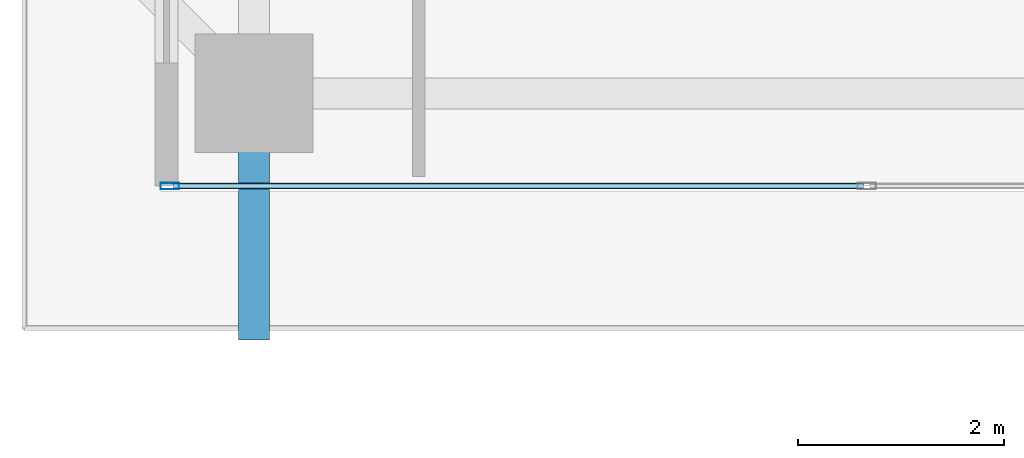
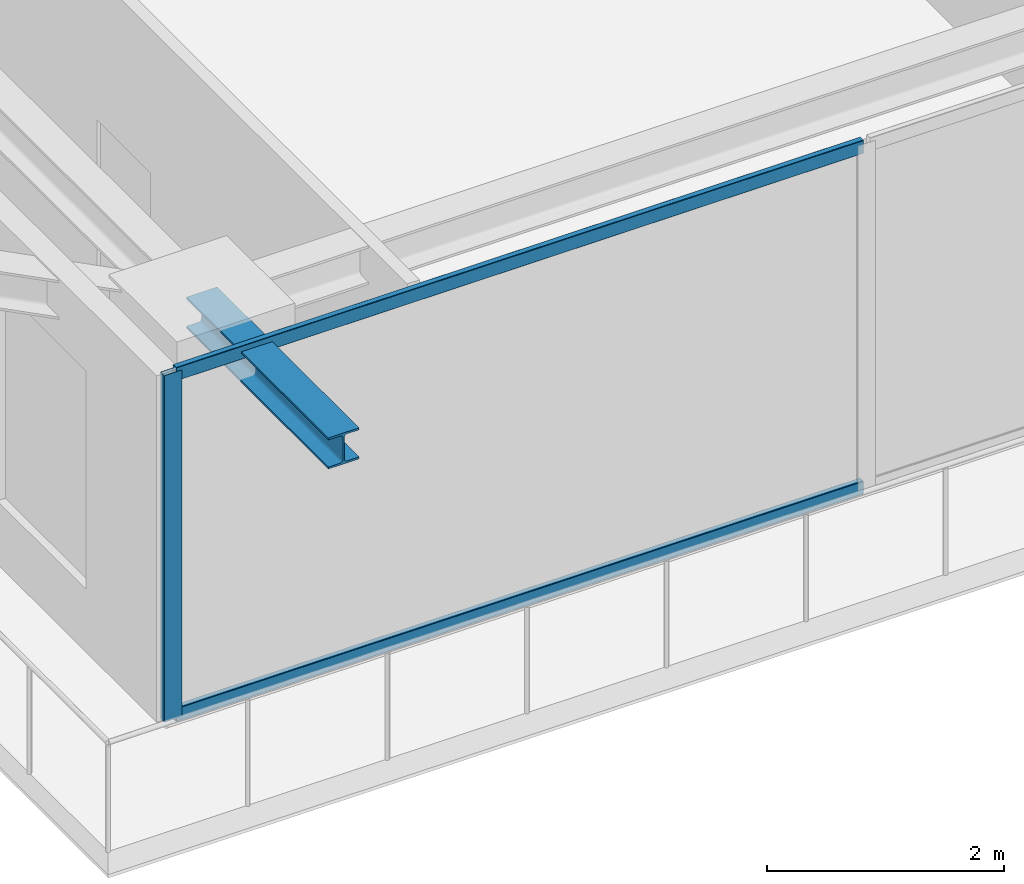
# One storey, part 2 of 38: 3 members, 1 beam, 1 element without a shape of its own.
"""IFC4 building model written with IfcOpenShell, lengths in metres."""

from ifc_helpers import new_model, si_unit, direction, frame, origin, origin_2d, place, context, subcontext, project, spatial, hollow_rectangle, i_section, extrude, source, transform, mapped, material, layer, layer_set, material_profile, profile_set, type_object, element, aggregate, save


model = new_model("IFC4")

# Units and contexts
model_context = context("Model", 3, precision=1e-05, world=origin(), true_north=direction((0.0, 1.0)))
body_context = subcontext(model_context, "Body", "Model", "MODEL_VIEW")
ifc_project = project(units=[si_unit("LENGTHUNIT", "METRE"), si_unit("AREAUNIT", "SQUARE_METRE"), si_unit("VOLUMEUNIT", "CUBIC_METRE"), si_unit("PLANEANGLEUNIT", "RADIAN"), si_unit("MASSUNIT", "GRAM", prefix="KILO")], contexts=[model_context])

# Site, building, storey
site_placement = place(None, origin())
site = spatial("IfcSite", under=ifc_project, at=site_placement, CompositionType="ELEMENT")
building_placement = place(site_placement, origin())
building = spatial("IfcBuilding", under=site, at=building_placement, Name="Serunith Strait Residences", CompositionType="ELEMENT")
storey_placement = place(building_placement, frame((0.0, 0.0, 268.199951171875)))
storey = spatial("IfcBuildingStorey", under=building, at=storey_placement, Name="L67", CompositionType="ELEMENT", Elevation=268.199951171875)

# Beam
ifc_material_1 = material(Name="Steel S355J2", Category="steel")
ifc_material_profile_1 = material_profile(ifc_material_1, i_section(OverallWidth=0.300048828125, OverallDepth=0.320068359375, WebThickness=0.011474609375, FlangeThickness=0.0205078125, FilletRadius=0.027099609375, at=origin_2d()), Name="HEB 320")
ifc_profile_set_1 = profile_set([ifc_material_profile_1], Name="Steel S355J2")
beam_type = type_object("IfcBeamType", Name="BM-HEB320", PredefinedType="BEAM", material=ifc_profile_set_1)
shared_shape_1 = source(origin(), body_context, "Body", "SweptSolid", [
    extrude(i_section(OverallWidth=0.300048828125, OverallDepth=0.320068359375, WebThickness=0.011474609375, FlangeThickness=0.0205078125, FilletRadius=0.027099609375, at=origin_2d()), origin(), (0.0, 0.0, 1.0), 2.39697265625),
])
beam_placement = place(storey_placement, frame((16.25, 2.10009765625, 3.39697265625), z_axis=(0.0, -1.0, 0.0), x_axis=(1.0, 0.0, 0.0)))
element("IfcBeam", 1, at=beam_placement, inside=storey, type_object=beam_type, Name="L68 Cantilevered Balcony Rib TC-S1", PredefinedType="BEAM", context=body_context, shape_type="MappedRepresentation", body=[
    mapped(shared_shape_1, transform((0.0, 0.0, 0.0), scale=1.0)),
])

# Curtain wall, members
ifc_material_2 = material(Name="Pale-Champagne Anodised Aluminium", Category="aluminium")
ifc_layer = layer(ifc_material_2, 0.199951171875, Name="Pale-Champagne Anodised Aluminium")
ifc_layer_set = layer_set([ifc_layer], Name="Pale-Champagne Anodised Aluminium")
curtain_wall_type = type_object("IfcCurtainWallType", Name="CW-SYS4", PredefinedType="NOTDEFINED", material=ifc_layer_set)
curtain_wall_placement = place(storey_placement, origin())
curtain_wall = element("IfcCurtainWall", 2, at=curtain_wall_placement, inside=storey, type_object=curtain_wall_type, Name="L67 S Unitised Fritted Curtain Wall", PredefinedType="NOTDEFINED")
ifc_material_profile_2 = material_profile(ifc_material_2, hollow_rectangle(XDim=0.06494140625, YDim=0.179931640625, WallThickness=0.00341796875, InnerFilletRadius=0.00537109375, OuterFilletRadius=0.0087890625, at=origin_2d()), Name="ALU 180x65x3.5")
ifc_profile_set_2 = profile_set([ifc_material_profile_2], Name="Pale-Champagne Anodised Aluminium")
member_type_1 = type_object("IfcMemberType", Name="CW-SYS4-MULL", PredefinedType="MULLION", material=ifc_profile_set_2)
shared_shape_2 = source(origin(), body_context, "Body", "SweptSolid", [
    extrude(hollow_rectangle(XDim=0.06494140625, YDim=0.179931640625, WallThickness=0.00341796875, InnerFilletRadius=0.00537109375, OuterFilletRadius=0.0087890625, at=origin_2d()), origin(), (0.0, 0.0, 1.0), 3.574951171875),
])
member_1_placement = place(storey_placement, frame((15.4326171875, 1.199951171875, 0.0), z_axis=(0.0, 0.0, 1.0), x_axis=(0.0, 1.0, 0.0)))
member_1 = element("IfcMember", 3, at=member_1_placement, type_object=member_type_1, Name="CW-4 mullion 1", PredefinedType="MULLION", context=body_context, shape_type="MappedRepresentation", body=[
    mapped(shared_shape_2, transform((0.0, 0.0, 0.0), scale=1.0)),
])
ifc_material_profile_3 = material_profile(ifc_material_2, hollow_rectangle(XDim=0.06005859375, YDim=0.139892578125, WallThickness=0.00341796875, InnerFilletRadius=0.00537109375, OuterFilletRadius=0.0087890625, at=origin_2d()), Name="ALU 140x60x3.5")
ifc_profile_set_3 = profile_set([ifc_material_profile_3], Name="Pale-Champagne Anodised Aluminium")
member_type_2 = type_object("IfcMemberType", Name="CW-SYS4-TRAN", PredefinedType="USERDEFINED", material=ifc_profile_set_3)
shared_shape_3 = source(origin(), body_context, "Body", "SweptSolid", [
    extrude(hollow_rectangle(XDim=0.06005859375, YDim=0.139892578125, WallThickness=0.00341796875, InnerFilletRadius=0.00537109375, OuterFilletRadius=0.0087890625, at=origin_2d()), origin(), (0.0, 0.0, 1.0), 6.702392578125),
])
member_2_placement = place(storey_placement, frame((15.465087890625, 1.199951171875, 0.030029296875), z_axis=(1.0, 0.0, 0.0), x_axis=(0.0, 1.0, 0.0)))
member_2 = element("IfcMember", 4, at=member_2_placement, type_object=member_type_2, Name="CW-4 transom 1.1", ObjectType="TRANSOM", PredefinedType="USERDEFINED", context=body_context, shape_type="MappedRepresentation", body=[
    mapped(shared_shape_3, transform((0.0, 0.0, 0.0), scale=1.0)),
])
member_3_placement = place(storey_placement, frame((15.465087890625, 1.199951171875, 3.545166015625), z_axis=(1.0, 0.0, 0.0), x_axis=(0.0, 1.0, 0.0)))
member_3 = element("IfcMember", 5, at=member_3_placement, type_object=member_type_2, Name="CW-4 transom 1.2", ObjectType="TRANSOM", PredefinedType="USERDEFINED", context=body_context, shape_type="MappedRepresentation", body=[
    mapped(shared_shape_3, transform((0.0, 0.0, 0.0), scale=1.0)),
])
aggregate(curtain_wall, [member_1, member_2, member_3])

save(model, "model.ifc")
